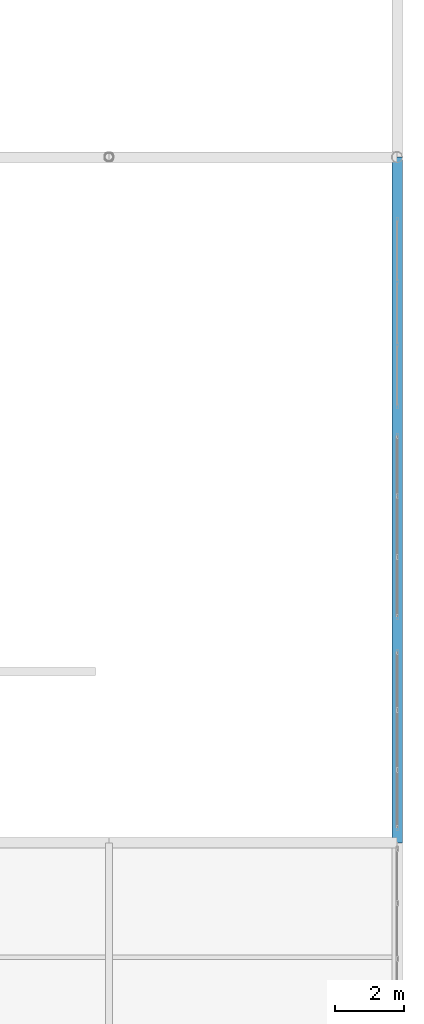
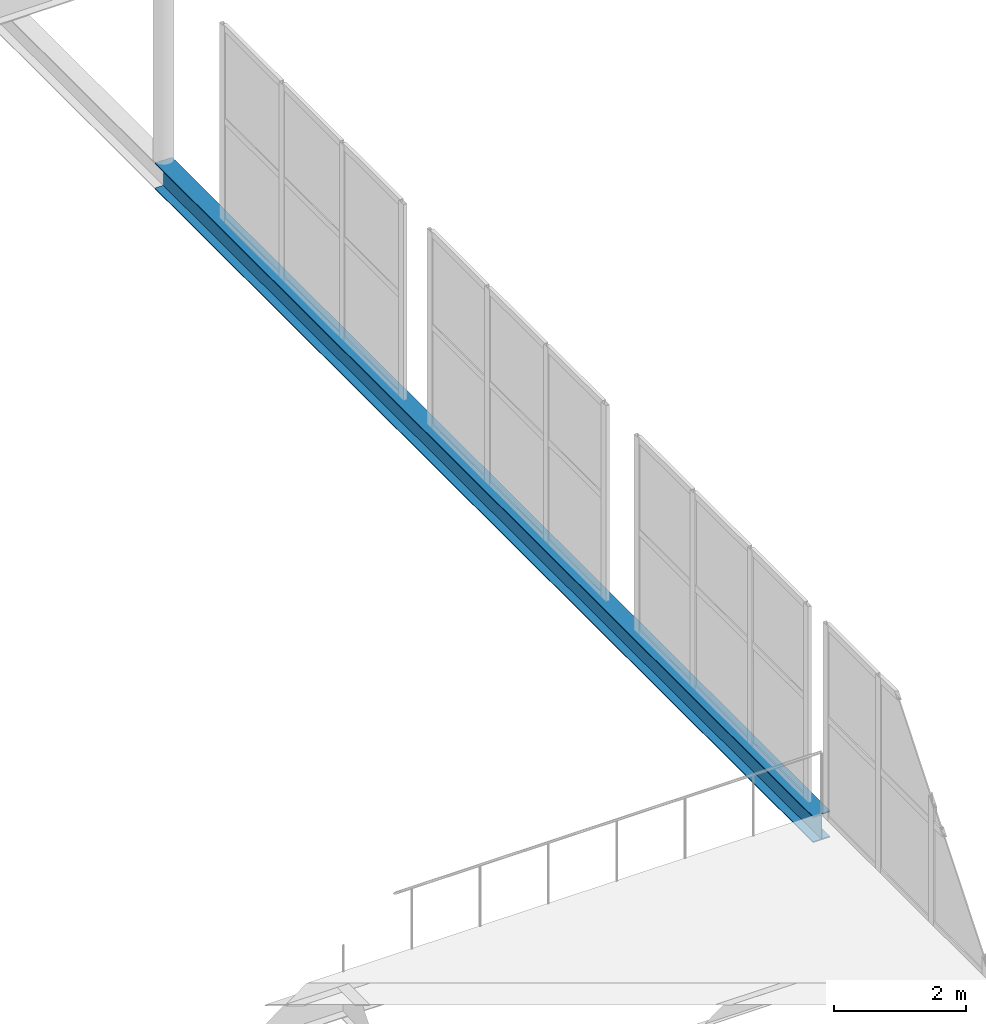
# One storey, part 155 of 218: 1 beam.
"""IFC4 building model written with IfcOpenShell, lengths in metres."""

from ifc_helpers import new_model, si_unit, direction, frame, origin, origin_2d, place, context, subcontext, project, spatial, i_section, extrude, material, material_profile, profile_set, type_object, element, save


model = new_model("IFC4")

# Units and contexts
model_context = context("Model", 3, precision=1e-05, world=origin(), true_north=direction((0.0, 1.0)))
body_context = subcontext(model_context, "Body", "Model", "MODEL_VIEW")
ifc_project = project(units=[si_unit("LENGTHUNIT", "METRE"), si_unit("AREAUNIT", "SQUARE_METRE"), si_unit("VOLUMEUNIT", "CUBIC_METRE"), si_unit("PLANEANGLEUNIT", "RADIAN"), si_unit("MASSUNIT", "GRAM", prefix="KILO")], contexts=[model_context])

# Site, building, storey
site_placement = place(None, origin())
site = spatial("IfcSite", under=ifc_project, at=site_placement, CompositionType="ELEMENT")
building_placement = place(site_placement, origin())
building = spatial("IfcBuilding", under=site, at=building_placement, Name="Kazenagashi Tramway Depot", CompositionType="ELEMENT")
storey_placement = place(building_placement, frame((0.0, 0.0, 6.0)))
storey = spatial("IfcBuildingStorey", under=building, at=storey_placement, Name="L02", CompositionType="ELEMENT", Elevation=6.0)

# Beam
ifc_material = material(Name="Steel SN490B", Category="steel")
ifc_material_profile = material_profile(ifc_material, i_section(OverallWidth=0.3, OverallDepth=0.488, WebThickness=0.011, FlangeThickness=0.018, at=origin_2d()), Name="H-488x300x11x18")
ifc_profile_set = profile_set([ifc_material_profile], Name="Steel SN490B")
beam_type = type_object("IfcBeamType", Name="SP-02", PredefinedType="SPANDREL", material=ifc_profile_set)
beam_placement = place(storey_placement, frame((196.0, 80.0, -0.264), z_axis=(0.0, 1.0, 0.0), x_axis=(-1.0, 0.0, 0.0)))
element("IfcBeam", 1, at=beam_placement, inside=storey, type_object=beam_type, Name="Beam SP-02 BM-1842", PredefinedType="SPANDREL", context=body_context, shape_type="SweptSolid", body=[
    extrude(i_section(OverallWidth=0.3, OverallDepth=0.488, WebThickness=0.011, FlangeThickness=0.018, at=origin_2d()), origin(), (0.0, 0.0, 1.0), 20.0),
])

save(model, "model.ifc")
